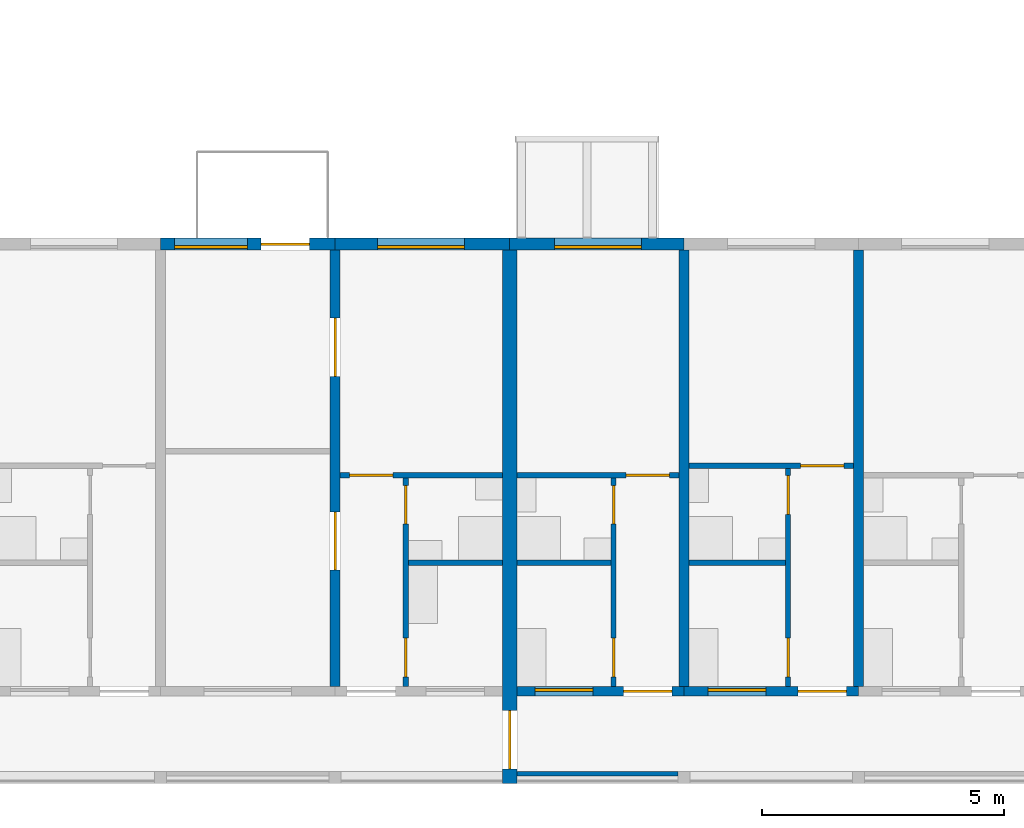
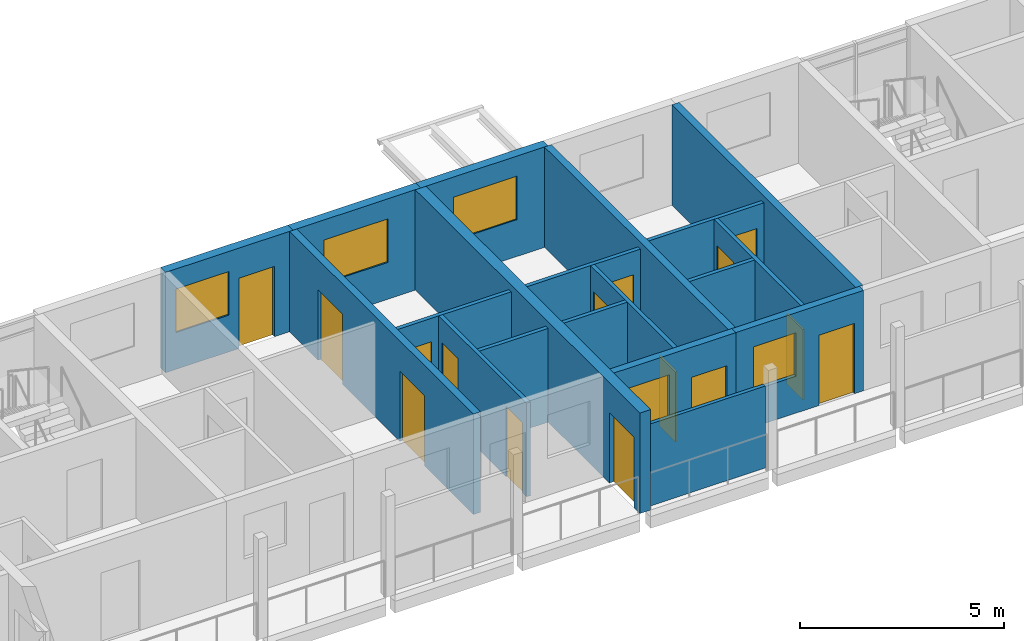
# One storey, part 47 of 94: 19 walls, 15 doors, 5 windows, 20 openings.
"""IFC4 building model written with IfcOpenShell, lengths in metres."""

from ifc_helpers import new_model, si_unit, direction, frame, frame_2d, origin, place, context, subcontext, project, spatial, rectangle, extrude, material, layer, layer_set, type_object, element, fill, save


model = new_model("IFC4")

# Units and contexts
model_context = context("Model", 3, precision=1e-05, world=origin(), true_north=direction((0.0, 1.0)))
body_context = subcontext(model_context, "Body", "Model", "MODEL_VIEW")
ifc_project = project(units=[si_unit("LENGTHUNIT", "METRE"), si_unit("AREAUNIT", "SQUARE_METRE"), si_unit("VOLUMEUNIT", "CUBIC_METRE"), si_unit("PLANEANGLEUNIT", "RADIAN"), si_unit("MASSUNIT", "GRAM", prefix="KILO")], contexts=[model_context])

# Site, building, storey
site_placement = place(None, origin())
site = spatial("IfcSite", under=ifc_project, at=site_placement, CompositionType="ELEMENT")
building_placement = place(site_placement, origin())
building = spatial("IfcBuilding", under=site, at=building_placement, Name="Ridgestep Commons", CompositionType="ELEMENT")
storey_placement = place(building_placement, frame((0.0, 0.0, 24.0)))
storey = spatial("IfcBuildingStorey", under=building, at=storey_placement, Name="L08", CompositionType="ELEMENT", Elevation=24.0)

# Wall, openings, doors
ifc_material_1 = material(Name="Precast concrete C40/50", Category="concrete")
ifc_layer_1 = layer(ifc_material_1, 0.199951171875)
ifc_layer_set_1 = layer_set([ifc_layer_1], Name="Cross wall 200")
wall_type_1 = type_object("IfcWallType", Name="Cross wall 200", PredefinedType="SHEAR", material=ifc_layer_set_1)
wall_1_placement = place(storey_placement, frame((176.800048828125, 13.75, 0.0), z_axis=(0.0, 0.0, 1.0), x_axis=(0.0, 1.0, 0.0)))
wall_1 = element("IfcWall", 1, at=wall_1_placement, inside=storey, type_object=wall_type_1, Name="Cross wall D-08-1768", PredefinedType="SHEAR", context=body_context, shape_type="SweptSolid", body=[
    extrude(rectangle(XDim=9.0, YDim=0.199951171875, at=frame_2d((4.5, 0.0))), origin(), (0.0, 0.0, 1.0), 3.0),
])
opening_1_placement = place(wall_1_placement, frame((2.39990234375, 0.0, 0.0)))
opening_1 = element("IfcOpeningElement", 2, at=opening_1_placement, cuts=wall_1, Name="Opening D2-08a/5", PredefinedType="OPENING", context=body_context, shape_type="SweptSolid", body=[
    extrude(rectangle(XDim=1.199951171875, YDim=2.10009765625, at=frame_2d((0.60009765625, 1.050048828125))), frame((0.0, 0.10986328125, 0.0), z_axis=(0.0, -1.0, 0.0), x_axis=(1.0, 0.0, 0.0)), (0.0, 0.0, 1.0), 0.219970703125),
])
opening_2_placement = place(wall_1_placement, frame((6.39990234375, 0.0, 0.0)))
opening_2 = element("IfcOpeningElement", 3, at=opening_2_placement, cuts=wall_1, Name="Opening D2-08a/6", PredefinedType="OPENING", context=body_context, shape_type="SweptSolid", body=[
    extrude(rectangle(XDim=1.199951171875, YDim=2.10009765625, at=frame_2d((0.60009765625, 1.050048828125))), frame((0.0, 0.10986328125, 0.0), z_axis=(0.0, -1.0, 0.0), x_axis=(1.0, 0.0, 0.0)), (0.0, 0.0, 1.0), 0.219970703125),
])
ifc_material_2 = material(Name="Timber door leaf", Category="wood")
door_type_1 = type_object("IfcDoorType", Name="Double door 1200 x 2100", OperationType="DOUBLE_DOOR_SINGLE_SWING", PredefinedType="DOOR", material=ifc_material_2)
door_1_placement = place(opening_1_placement, origin())
door_1 = element("IfcDoor", 4, at=door_1_placement, inside=storey, type_object=door_type_1, Name="Double door D2-08a/5", OperationType="DOUBLE_DOOR_SINGLE_SWING", OverallHeight=2.10009765625, OverallWidth=1.199951171875, PredefinedType="DOOR", context=body_context, shape_type="SweptSolid", body=[
    extrude(rectangle(XDim=1.199951171875, YDim=2.10009765625, at=frame_2d((0.60009765625, 1.050048828125))), frame((0.0, 0.02490234375, 0.0), z_axis=(0.0, -1.0, 0.0), x_axis=(1.0, 0.0, 0.0)), (0.0, 0.0, 1.0), 0.050048828125),
])
fill(opening_1, door_1)
door_2_placement = place(opening_2_placement, origin())
door_2 = element("IfcDoor", 5, at=door_2_placement, inside=storey, type_object=door_type_1, Name="Double door D2-08a/6", OperationType="DOUBLE_DOOR_SINGLE_SWING", OverallHeight=2.10009765625, OverallWidth=1.199951171875, PredefinedType="DOOR", context=body_context, shape_type="SweptSolid", body=[
    extrude(rectangle(XDim=1.199951171875, YDim=2.10009765625, at=frame_2d((0.60009765625, 1.050048828125))), frame((0.0, 0.02490234375, 0.0), z_axis=(0.0, -1.0, 0.0), x_axis=(1.0, 0.0, 0.0)), (0.0, 0.0, 1.0), 0.050048828125),
])
fill(opening_2, door_2)

# Walls
for number, where, z_axis, x_axis, name in (
    (6, (184.0, 13.75, 0.0), (0.0, 0.0, 1.0), (0.0, 1.0, 0.0), "Cross wall D-08-1840"),
    (7, (187.60009765625, 13.75, 0.0), (0.0, 0.0, 1.0), (0.0, 1.0, 0.0), "Cross wall D-08-1876"),
):
    element("IfcWall", number, at=place(storey_placement, frame(where, z_axis=z_axis, x_axis=x_axis)), inside=storey, type_object=wall_type_1, Name=name, PredefinedType="SHEAR", context=body_context, shape_type="SweptSolid", body=[
        extrude(rectangle(XDim=9.0, YDim=0.199951171875, at=frame_2d((4.5, 0.0))), origin(), (0.0, 0.0, 1.0), 3.0),
    ])

# Wall, opening, door
ifc_material_3 = material(Name="Precast concrete C40/50", Category="concrete")
ifc_layer_2 = layer(ifc_material_3, 0.300048828125)
ifc_layer_set_2 = layer_set([ifc_layer_2], Name="Division wall 300")
wall_type_2 = type_object("IfcWallType", Name="Division wall 300", PredefinedType="SHEAR", material=ifc_layer_set_2)
wall_2_placement = place(storey_placement, frame((180.39990234375, 11.75, 0.0), z_axis=(0.0, 0.0, 1.0), x_axis=(0.0, 1.0, 0.0)))
wall_2 = element("IfcWall", 8, at=wall_2_placement, inside=storey, type_object=wall_type_2, Name="Cross wall D-08-1804", PredefinedType="SHEAR", context=body_context, shape_type="SweptSolid", body=[
    extrude(rectangle(XDim=11.0, YDim=0.300048828125, at=frame_2d((5.5, 0.0))), origin(), (0.0, 0.0, 1.0), 3.0),
])
opening_3_placement = place(wall_2_placement, frame((0.300048828125, 0.0, 0.0)))
opening_3 = element("IfcOpeningElement", 9, at=opening_3_placement, cuts=wall_2, Name="Opening D/08/G1804", PredefinedType="OPENING", context=body_context, shape_type="SweptSolid", body=[
    extrude(rectangle(XDim=1.199951171875, YDim=2.10009765625, at=frame_2d((0.60009765625, 1.050048828125))), frame((0.0, 0.159912109375, 0.0), z_axis=(0.0, -1.0, 0.0), x_axis=(1.0, 0.0, 0.0)), (0.0, 0.0, 1.0), 0.320068359375),
])
ifc_material_4 = material(Name="Steel fire door", Category="steel")
door_type_2 = type_object("IfcDoorType", Name="Division fire door 1200 x 2100 EI 240", OperationType="DOUBLE_DOOR_SINGLE_SWING", PredefinedType="DOOR", material=ifc_material_4)
door_3_placement = place(opening_3_placement, origin())
door_3 = element("IfcDoor", 10, at=door_3_placement, inside=storey, type_object=door_type_2, Name="Division fire door D/08/G1804", OperationType="DOUBLE_DOOR_SINGLE_SWING", OverallHeight=2.10009765625, OverallWidth=1.199951171875, PredefinedType="DOOR", context=body_context, shape_type="SweptSolid", body=[
    extrude(rectangle(XDim=1.199951171875, YDim=2.10009765625, at=frame_2d((0.60009765625, 1.050048828125))), frame((0.0, 0.02490234375, 0.0), z_axis=(0.0, -1.0, 0.0), x_axis=(1.0, 0.0, 0.0)), (0.0, 0.0, 1.0), 0.050048828125),
])
fill(opening_3, door_3)

# Wall, openings, door, window
ifc_material_5 = material(Name="Precast concrete C40/50", Category="concrete")
ifc_layer_3 = layer(ifc_material_5, 0.25)
ifc_layer_set_3 = layer_set([ifc_layer_3], Name="North facade panel 250")
wall_type_3 = type_object("IfcWallType", Name="North facade panel 250", PredefinedType="SOLIDWALL", material=ifc_layer_set_3)
wall_3_placement = place(storey_placement, frame((173.199951171875, 22.875, 0.0), z_axis=(0.0, 0.0, 1.0), x_axis=(1.0, 0.0, 0.0)))
wall_3 = element("IfcWall", 11, at=wall_3_placement, inside=storey, type_object=wall_type_3, Name="North panel D2T2 L08", PredefinedType="SOLIDWALL", context=body_context, shape_type="SweptSolid", body=[
    extrude(rectangle(XDim=3.60009765625, YDim=0.25, at=frame_2d((1.800048828125, 0.0))), origin(), (0.0, 0.0, 1.0), 3.0),
])
opening_4_placement = place(wall_3_placement, frame((0.28857421875, 0.0, 1.10009765625)))
opening_4 = element("IfcOpeningElement", 12, at=opening_4_placement, cuts=wall_3, Name="Opening W14", PredefinedType="OPENING", context=body_context, shape_type="SweptSolid", body=[
    extrude(rectangle(XDim=1.5, YDim=1.300048828125, at=frame_2d((0.75, 0.64990234375))), frame((0.0, 0.135009765625, 0.0), z_axis=(0.0, -1.0, 0.0), x_axis=(1.0, 0.0, 0.0)), (0.0, 0.0, 1.0), 0.27001953125),
])
opening_5_placement = place(wall_3_placement, frame((2.076904296875, 0.0, 0.0)))
opening_5 = element("IfcOpeningElement", 13, at=opening_5_placement, cuts=wall_3, Name="Opening D2-08a/7", PredefinedType="OPENING", context=body_context, shape_type="SweptSolid", body=[
    extrude(rectangle(XDim=1.0, YDim=2.10009765625, at=frame_2d((0.5, 1.050048828125))), frame((0.0, 0.135009765625, 0.0), z_axis=(0.0, -1.0, 0.0), x_axis=(1.0, 0.0, 0.0)), (0.0, 0.0, 1.0), 0.27001953125),
])
ifc_material_6 = material(Name="Aluminium and glass", Category="aluminium")
door_type_3 = type_object("IfcDoorType", Name="Balcony door 1000 x 2100", OperationType="NOTDEFINED", PredefinedType="DOOR", material=ifc_material_6)
door_4_placement = place(opening_5_placement, origin())
door_4 = element("IfcDoor", 14, at=door_4_placement, inside=storey, type_object=door_type_3, Name="Balcony door D2-08a/7", OperationType="SINGLE_SWING_LEFT", OverallHeight=2.10009765625, OverallWidth=1.0, PredefinedType="DOOR", context=body_context, shape_type="SweptSolid", body=[
    extrude(rectangle(XDim=1.0, YDim=2.10009765625, at=frame_2d((0.5, 1.050048828125))), frame((0.0, 0.02490234375, 0.0), z_axis=(0.0, -1.0, 0.0), x_axis=(1.0, 0.0, 0.0)), (0.0, 0.0, 1.0), 0.050048828125),
])
fill(opening_5, door_4)
ifc_material_7 = material(Name="Aluminium 6063-T6 and glass", Category="aluminium")
window_type_1 = type_object("IfcWindowType", Name="Flat window 1500 x 1300", PartitioningType="DOUBLE_PANEL_VERTICAL", PredefinedType="WINDOW", material=ifc_material_7)
window_1_placement = place(opening_4_placement, origin())
window_1 = element("IfcWindow", 15, at=window_1_placement, inside=storey, type_object=window_type_1, Name="Window D2-08a 2", OverallHeight=1.300048828125, OverallWidth=1.5, PartitioningType="SINGLE_PANEL", PredefinedType="WINDOW", context=body_context, shape_type="SweptSolid", body=[
    extrude(rectangle(XDim=1.5, YDim=1.300048828125, at=frame_2d((0.75, 0.64990234375))), frame((0.0, -0.02490234375, 0.0), z_axis=(0.0, -1.0, 0.0), x_axis=(1.0, 0.0, 0.0)), (0.0, 0.0, 1.0), 0.06005859375),
])
fill(opening_4, window_1)

# Wall, opening, window
wall_4_placement = place(storey_placement, frame((176.800048828125, 22.875, 0.0), z_axis=(0.0, 0.0, 1.0), x_axis=(1.0, 0.0, 0.0)))
wall_4 = element("IfcWall", 16, at=wall_4_placement, inside=storey, type_object=wall_type_3, Name="North panel D2T1 L08", PredefinedType="SOLIDWALL", context=body_context, shape_type="SweptSolid", body=[
    extrude(rectangle(XDim=3.599853515625, YDim=0.25, at=frame_2d((1.7998046875, 0.0))), origin(), (0.0, 0.0, 1.0), 3.0),
])
opening_6_placement = place(wall_4_placement, frame((0.875, 0.0, 1.10009765625)))
opening_6 = element("IfcOpeningElement", 17, at=opening_6_placement, cuts=wall_4, Name="Opening W18", PredefinedType="OPENING", context=body_context, shape_type="SweptSolid", body=[
    extrude(rectangle(XDim=1.800048828125, YDim=1.300048828125, at=frame_2d((0.89990234375, 0.64990234375))), frame((0.0, 0.135009765625, 0.0), z_axis=(0.0, -1.0, 0.0), x_axis=(1.0, 0.0, 0.0)), (0.0, 0.0, 1.0), 0.27001953125),
])
ifc_material_8 = material(Name="Aluminium 6063-T6 and glass", Category="aluminium")
window_type_2 = type_object("IfcWindowType", Name="Flat window 1800 x 1300", PartitioningType="DOUBLE_PANEL_VERTICAL", PredefinedType="WINDOW", material=ifc_material_8)
window_2_placement = place(opening_6_placement, origin())
window_2 = element("IfcWindow", 18, at=window_2_placement, inside=storey, type_object=window_type_2, Name="Window D2-08a 4", OverallHeight=1.300048828125, OverallWidth=1.800048828125, PartitioningType="SINGLE_PANEL", PredefinedType="WINDOW", context=body_context, shape_type="SweptSolid", body=[
    extrude(rectangle(XDim=1.800048828125, YDim=1.300048828125, at=frame_2d((0.89990234375, 0.64990234375))), frame((0.0, -0.02490234375, 0.0), z_axis=(0.0, -1.0, 0.0), x_axis=(1.0, 0.0, 0.0)), (0.0, 0.0, 1.0), 0.06005859375),
])
fill(opening_6, window_2)

wall_5_placement = place(storey_placement, frame((180.39990234375, 22.875, 0.0), z_axis=(0.0, 0.0, 1.0), x_axis=(1.0, 0.0, 0.0)))
wall_5 = element("IfcWall", 19, at=wall_5_placement, inside=storey, type_object=wall_type_3, Name="North panel D3T1 L08", PredefinedType="SOLIDWALL", context=body_context, shape_type="SweptSolid", body=[
    extrude(rectangle(XDim=3.60009765625, YDim=0.25, at=frame_2d((1.800048828125, 0.0))), origin(), (0.0, 0.0, 1.0), 3.0),
])
opening_7_placement = place(wall_5_placement, frame((0.925048828125, 0.0, 1.10009765625)))
opening_7 = element("IfcOpeningElement", 20, at=opening_7_placement, cuts=wall_5, Name="Opening W18", PredefinedType="OPENING", context=body_context, shape_type="SweptSolid", body=[
    extrude(rectangle(XDim=1.800048828125, YDim=1.300048828125, at=frame_2d((0.89990234375, 0.64990234375))), frame((0.0, 0.135009765625, 0.0), z_axis=(0.0, -1.0, 0.0), x_axis=(1.0, 0.0, 0.0)), (0.0, 0.0, 1.0), 0.27001953125),
])
window_3_placement = place(opening_7_placement, origin())
window_3 = element("IfcWindow", 21, at=window_3_placement, inside=storey, type_object=window_type_2, Name="Window D3-08a 2", OverallHeight=1.300048828125, OverallWidth=1.800048828125, PartitioningType="SINGLE_PANEL", PredefinedType="WINDOW", context=body_context, shape_type="SweptSolid", body=[
    extrude(rectangle(XDim=1.800048828125, YDim=1.300048828125, at=frame_2d((0.89990234375, 0.64990234375))), frame((0.0, -0.02490234375, 0.0), z_axis=(0.0, -1.0, 0.0), x_axis=(1.0, 0.0, 0.0)), (0.0, 0.0, 1.0), 0.06005859375),
])
fill(opening_7, window_3)

# Wall, openings, doors
ifc_material_9 = material(Name="Common brick 110 mm", Category="masonry")
ifc_layer_4 = layer(ifc_material_9, 0.110107421875)
ifc_layer_set_4 = layer_set([ifc_layer_4], Name="Partition 110")
wall_type_4 = type_object("IfcWallType", Name="Partition 110", PredefinedType="PARTITIONING", material=ifc_layer_set_4)
wall_6_placement = place(storey_placement, frame((178.2548828125, 13.75, 0.0), z_axis=(0.0, 0.0, 1.0), x_axis=(0.0, 1.0, 0.0)))
wall_6 = element("IfcWall", 22, at=wall_6_placement, inside=storey, type_object=wall_type_4, Name="Partition D2-08a", PredefinedType="PARTITIONING", context=body_context, shape_type="SweptSolid", body=[
    extrude(rectangle(XDim=4.300048828125, YDim=0.110107421875, at=frame_2d((2.14990234375, 0.0))), origin(), (0.0, 0.0, 1.0), 2.800048828125),
])
opening_8_placement = place(wall_6_placement, frame((0.199951171875, 0.0, 0.0)))
opening_8 = element("IfcOpeningElement", 23, at=opening_8_placement, cuts=wall_6, Name="Opening D2-08a/2", PredefinedType="OPENING", context=body_context, shape_type="SweptSolid", body=[
    extrude(rectangle(XDim=0.800048828125, YDim=2.10009765625, at=frame_2d((0.39990234375, 1.050048828125))), frame((0.0, 0.06494140625, 0.0), z_axis=(0.0, -1.0, 0.0), x_axis=(1.0, 0.0, 0.0)), (0.0, 0.0, 1.0), 0.130126953125),
])
opening_9_placement = place(wall_6_placement, frame((3.35009765625, 0.0, 0.0)))
opening_9 = element("IfcOpeningElement", 24, at=opening_9_placement, cuts=wall_6, Name="Opening D2-08a/3", PredefinedType="OPENING", context=body_context, shape_type="SweptSolid", body=[
    extrude(rectangle(XDim=0.800048828125, YDim=2.10009765625, at=frame_2d((0.39990234375, 1.050048828125))), frame((0.0, 0.06494140625, 0.0), z_axis=(0.0, -1.0, 0.0), x_axis=(1.0, 0.0, 0.0)), (0.0, 0.0, 1.0), 0.130126953125),
])
ifc_material_10 = material(Name="Timber door leaf", Category="wood")
door_type_4 = type_object("IfcDoorType", Name="Internal door 800 x 2100", OperationType="NOTDEFINED", PredefinedType="DOOR", material=ifc_material_10)
door_5_placement = place(opening_8_placement, origin())
door_5 = element("IfcDoor", 25, at=door_5_placement, inside=storey, type_object=door_type_4, Name="Internal door D2-08a/2", OperationType="SINGLE_SWING_RIGHT", OverallHeight=2.10009765625, OverallWidth=0.800048828125, PredefinedType="DOOR", context=body_context, shape_type="SweptSolid", body=[
    extrude(rectangle(XDim=0.800048828125, YDim=2.10009765625, at=frame_2d((0.39990234375, 1.050048828125))), frame((0.0, 0.02490234375, 0.0), z_axis=(0.0, -1.0, 0.0), x_axis=(1.0, 0.0, 0.0)), (0.0, 0.0, 1.0), 0.050048828125),
])
fill(opening_8, door_5)
door_6_placement = place(opening_9_placement, origin())
door_6 = element("IfcDoor", 26, at=door_6_placement, inside=storey, type_object=door_type_4, Name="Internal door D2-08a/3", OperationType="SINGLE_SWING_LEFT", OverallHeight=2.10009765625, OverallWidth=0.800048828125, PredefinedType="DOOR", context=body_context, shape_type="SweptSolid", body=[
    extrude(rectangle(XDim=0.800048828125, YDim=2.10009765625, at=frame_2d((0.39990234375, 1.050048828125))), frame((0.0, 0.02490234375, 0.0), z_axis=(0.0, -1.0, 0.0), x_axis=(1.0, 0.0, 0.0)), (0.0, 0.0, 1.0), 0.050048828125),
])
fill(opening_9, door_6)

# Wall
wall_7_placement = place(storey_placement, frame((178.31005859375, 16.304931640625, 0.0), z_axis=(0.0, 0.0, 1.0), x_axis=(1.0, 0.0, 0.0)))
element("IfcWall", 27, at=wall_7_placement, inside=storey, type_object=wall_type_4, Name="Partition D2-08a", PredefinedType="PARTITIONING", context=body_context, shape_type="SweptSolid", body=[
    extrude(rectangle(XDim=1.93994140625, YDim=0.110107421875, at=frame_2d((0.969970703125, 0.0))), origin(), (0.0, 0.0, 1.0), 2.800048828125),
])

# Wall, opening, door
wall_8_placement = place(storey_placement, frame((176.89990234375, 18.10498046875, 0.0), z_axis=(0.0, 0.0, 1.0), x_axis=(1.0, 0.0, 0.0)))
wall_8 = element("IfcWall", 28, at=wall_8_placement, inside=storey, type_object=wall_type_4, Name="Partition D2-08a", PredefinedType="PARTITIONING", context=body_context, shape_type="SweptSolid", body=[
    extrude(rectangle(XDim=3.35009765625, YDim=0.110107421875, at=frame_2d((1.675048828125, 0.0))), origin(), (0.0, 0.0, 1.0), 2.800048828125),
])
opening_10_placement = place(wall_8_placement, frame((0.199951171875, 0.0, 0.0)))
opening_10 = element("IfcOpeningElement", 29, at=opening_10_placement, cuts=wall_8, Name="Opening D2-08a/4", PredefinedType="OPENING", context=body_context, shape_type="SweptSolid", body=[
    extrude(rectangle(XDim=0.89990234375, YDim=2.10009765625, at=frame_2d((0.449951171875, 1.050048828125))), frame((0.0, 0.06494140625, 0.0), z_axis=(0.0, -1.0, 0.0), x_axis=(1.0, 0.0, 0.0)), (0.0, 0.0, 1.0), 0.130126953125),
])
ifc_material_11 = material(Name="Timber door leaf", Category="wood")
door_type_5 = type_object("IfcDoorType", Name="Internal door 900 x 2100", OperationType="NOTDEFINED", PredefinedType="DOOR", material=ifc_material_11)
door_7_placement = place(opening_10_placement, origin())
door_7 = element("IfcDoor", 30, at=door_7_placement, inside=storey, type_object=door_type_5, Name="Internal door D2-08a/4", OperationType="SINGLE_SWING_LEFT", OverallHeight=2.10009765625, OverallWidth=0.89990234375, PredefinedType="DOOR", context=body_context, shape_type="SweptSolid", body=[
    extrude(rectangle(XDim=0.89990234375, YDim=2.10009765625, at=frame_2d((0.449951171875, 1.050048828125))), frame((0.0, 0.02490234375, 0.0), z_axis=(0.0, -1.0, 0.0), x_axis=(1.0, 0.0, 0.0)), (0.0, 0.0, 1.0), 0.050048828125),
])
fill(opening_10, door_7)

# Wall
wall_9_placement = place(storey_placement, frame((180.550048828125, 16.304931640625, 0.0), z_axis=(0.0, 0.0, 1.0), x_axis=(1.0, 0.0, 0.0)))
element("IfcWall", 31, at=wall_9_placement, inside=storey, type_object=wall_type_4, Name="Partition D3-08a", PredefinedType="PARTITIONING", context=body_context, shape_type="SweptSolid", body=[
    extrude(rectangle(XDim=1.93994140625, YDim=0.110107421875, at=frame_2d((0.969970703125, 0.0))), origin(), (0.0, 0.0, 1.0), 2.800048828125),
])

# Wall, openings, doors
wall_10_placement = place(storey_placement, frame((182.544921875, 13.75, 0.0), z_axis=(0.0, 0.0, 1.0), x_axis=(0.0, 1.0, 0.0)))
wall_10 = element("IfcWall", 32, at=wall_10_placement, inside=storey, type_object=wall_type_4, Name="Partition D3-08a", PredefinedType="PARTITIONING", context=body_context, shape_type="SweptSolid", body=[
    extrude(rectangle(XDim=4.300048828125, YDim=0.110107421875, at=frame_2d((2.14990234375, 0.0))), origin(), (0.0, 0.0, 1.0), 2.800048828125),
])
opening_11_placement = place(wall_10_placement, frame((0.199951171875, 0.0, 0.0)))
opening_11 = element("IfcOpeningElement", 33, at=opening_11_placement, cuts=wall_10, Name="Opening D3-08a/2", PredefinedType="OPENING", context=body_context, shape_type="SweptSolid", body=[
    extrude(rectangle(XDim=0.800048828125, YDim=2.10009765625, at=frame_2d((0.39990234375, 1.050048828125))), frame((0.0, 0.06494140625, 0.0), z_axis=(0.0, -1.0, 0.0), x_axis=(1.0, 0.0, 0.0)), (0.0, 0.0, 1.0), 0.130126953125),
])
opening_12_placement = place(wall_10_placement, frame((3.35009765625, 0.0, 0.0)))
opening_12 = element("IfcOpeningElement", 34, at=opening_12_placement, cuts=wall_10, Name="Opening D3-08a/3", PredefinedType="OPENING", context=body_context, shape_type="SweptSolid", body=[
    extrude(rectangle(XDim=0.800048828125, YDim=2.10009765625, at=frame_2d((0.39990234375, 1.050048828125))), frame((0.0, 0.06494140625, 0.0), z_axis=(0.0, -1.0, 0.0), x_axis=(1.0, 0.0, 0.0)), (0.0, 0.0, 1.0), 0.130126953125),
])
door_8_placement = place(opening_11_placement, origin())
door_8 = element("IfcDoor", 35, at=door_8_placement, inside=storey, type_object=door_type_4, Name="Internal door D3-08a/2", OperationType="SINGLE_SWING_LEFT", OverallHeight=2.10009765625, OverallWidth=0.800048828125, PredefinedType="DOOR", context=body_context, shape_type="SweptSolid", body=[
    extrude(rectangle(XDim=0.800048828125, YDim=2.10009765625, at=frame_2d((0.39990234375, 1.050048828125))), frame((0.0, 0.02490234375, 0.0), z_axis=(0.0, -1.0, 0.0), x_axis=(1.0, 0.0, 0.0)), (0.0, 0.0, 1.0), 0.050048828125),
])
fill(opening_11, door_8)
door_9_placement = place(opening_12_placement, origin())
door_9 = element("IfcDoor", 36, at=door_9_placement, inside=storey, type_object=door_type_4, Name="Internal door D3-08a/3", OperationType="SINGLE_SWING_RIGHT", OverallHeight=2.10009765625, OverallWidth=0.800048828125, PredefinedType="DOOR", context=body_context, shape_type="SweptSolid", body=[
    extrude(rectangle(XDim=0.800048828125, YDim=2.10009765625, at=frame_2d((0.39990234375, 1.050048828125))), frame((0.0, 0.02490234375, 0.0), z_axis=(0.0, -1.0, 0.0), x_axis=(1.0, 0.0, 0.0)), (0.0, 0.0, 1.0), 0.050048828125),
])
fill(opening_12, door_9)

# Wall, opening, door
wall_11_placement = place(storey_placement, frame((180.550048828125, 18.10498046875, 0.0), z_axis=(0.0, 0.0, 1.0), x_axis=(1.0, 0.0, 0.0)))
wall_11 = element("IfcWall", 37, at=wall_11_placement, inside=storey, type_object=wall_type_4, Name="Partition D3-08a", PredefinedType="PARTITIONING", context=body_context, shape_type="SweptSolid", body=[
    extrude(rectangle(XDim=3.349853515625, YDim=0.110107421875, at=frame_2d((1.6748046875, 0.0))), origin(), (0.0, 0.0, 1.0), 2.800048828125),
])
opening_13_placement = place(wall_11_placement, frame((2.25, 0.0, 0.0)))
opening_13 = element("IfcOpeningElement", 38, at=opening_13_placement, cuts=wall_11, Name="Opening D3-08a/4", PredefinedType="OPENING", context=body_context, shape_type="SweptSolid", body=[
    extrude(rectangle(XDim=0.89990234375, YDim=2.10009765625, at=frame_2d((0.449951171875, 1.050048828125))), frame((0.0, 0.06494140625, 0.0), z_axis=(0.0, -1.0, 0.0), x_axis=(1.0, 0.0, 0.0)), (0.0, 0.0, 1.0), 0.130126953125),
])
door_10_placement = place(opening_13_placement, origin())
door_10 = element("IfcDoor", 39, at=door_10_placement, inside=storey, type_object=door_type_5, Name="Internal door D3-08a/4", OperationType="SINGLE_SWING_LEFT", OverallHeight=2.10009765625, OverallWidth=0.89990234375, PredefinedType="DOOR", context=body_context, shape_type="SweptSolid", body=[
    extrude(rectangle(XDim=0.89990234375, YDim=2.10009765625, at=frame_2d((0.449951171875, 1.050048828125))), frame((0.0, 0.02490234375, 0.0), z_axis=(0.0, -1.0, 0.0), x_axis=(1.0, 0.0, 0.0)), (0.0, 0.0, 1.0), 0.050048828125),
])
fill(opening_13, door_10)

# Wall
wall_12_placement = place(storey_placement, frame((184.10009765625, 16.304931640625, 0.0), z_axis=(0.0, 0.0, 1.0), x_axis=(1.0, 0.0, 0.0)))
element("IfcWall", 40, at=wall_12_placement, inside=storey, type_object=wall_type_4, Name="Partition D3-08b", PredefinedType="PARTITIONING", context=body_context, shape_type="SweptSolid", body=[
    extrude(rectangle(XDim=1.989990234375, YDim=0.110107421875, at=frame_2d((0.9951171875, 0.0))), origin(), (0.0, 0.0, 1.0), 2.800048828125),
])

# Wall, openings, doors
wall_13_placement = place(storey_placement, frame((186.14501953125, 13.75, 0.0), z_axis=(0.0, 0.0, 1.0), x_axis=(0.0, 1.0, 0.0)))
wall_13 = element("IfcWall", 41, at=wall_13_placement, inside=storey, type_object=wall_type_4, Name="Partition D3-08b", PredefinedType="PARTITIONING", context=body_context, shape_type="SweptSolid", body=[
    extrude(rectangle(XDim=4.5, YDim=0.110107421875, at=frame_2d((2.25, 0.0))), origin(), (0.0, 0.0, 1.0), 2.800048828125),
])
opening_14_placement = place(wall_13_placement, frame((0.199951171875, 0.0, 0.0)))
opening_14 = element("IfcOpeningElement", 42, at=opening_14_placement, cuts=wall_13, Name="Opening D3-08b/2", PredefinedType="OPENING", context=body_context, shape_type="SweptSolid", body=[
    extrude(rectangle(XDim=0.800048828125, YDim=2.10009765625, at=frame_2d((0.39990234375, 1.050048828125))), frame((0.0, 0.06494140625, 0.0), z_axis=(0.0, -1.0, 0.0), x_axis=(1.0, 0.0, 0.0)), (0.0, 0.0, 1.0), 0.130126953125),
])
opening_15_placement = place(wall_13_placement, frame((3.550048828125, 0.0, 0.0)))
opening_15 = element("IfcOpeningElement", 43, at=opening_15_placement, cuts=wall_13, Name="Opening D3-08b/3", PredefinedType="OPENING", context=body_context, shape_type="SweptSolid", body=[
    extrude(rectangle(XDim=0.800048828125, YDim=2.10009765625, at=frame_2d((0.39990234375, 1.050048828125))), frame((0.0, 0.06494140625, 0.0), z_axis=(0.0, -1.0, 0.0), x_axis=(1.0, 0.0, 0.0)), (0.0, 0.0, 1.0), 0.130126953125),
])
door_11_placement = place(opening_14_placement, origin())
door_11 = element("IfcDoor", 44, at=door_11_placement, inside=storey, type_object=door_type_4, Name="Internal door D3-08b/2", OperationType="SINGLE_SWING_LEFT", OverallHeight=2.10009765625, OverallWidth=0.800048828125, PredefinedType="DOOR", context=body_context, shape_type="SweptSolid", body=[
    extrude(rectangle(XDim=0.800048828125, YDim=2.10009765625, at=frame_2d((0.39990234375, 1.050048828125))), frame((0.0, 0.02490234375, 0.0), z_axis=(0.0, -1.0, 0.0), x_axis=(1.0, 0.0, 0.0)), (0.0, 0.0, 1.0), 0.050048828125),
])
fill(opening_14, door_11)
door_12_placement = place(opening_15_placement, origin())
door_12 = element("IfcDoor", 45, at=door_12_placement, inside=storey, type_object=door_type_4, Name="Internal door D3-08b/3", OperationType="SINGLE_SWING_RIGHT", OverallHeight=2.10009765625, OverallWidth=0.800048828125, PredefinedType="DOOR", context=body_context, shape_type="SweptSolid", body=[
    extrude(rectangle(XDim=0.800048828125, YDim=2.10009765625, at=frame_2d((0.39990234375, 1.050048828125))), frame((0.0, 0.02490234375, 0.0), z_axis=(0.0, -1.0, 0.0), x_axis=(1.0, 0.0, 0.0)), (0.0, 0.0, 1.0), 0.050048828125),
])
fill(opening_15, door_12)

# Wall, opening, door
wall_14_placement = place(storey_placement, frame((184.10009765625, 18.304931640625, 0.0), z_axis=(0.0, 0.0, 1.0), x_axis=(1.0, 0.0, 0.0)))
wall_14 = element("IfcWall", 46, at=wall_14_placement, inside=storey, type_object=wall_type_4, Name="Partition D3-08b", PredefinedType="PARTITIONING", context=body_context, shape_type="SweptSolid", body=[
    extrude(rectangle(XDim=3.39990234375, YDim=0.110107421875, at=frame_2d((1.699951171875, 0.0))), origin(), (0.0, 0.0, 1.0), 2.800048828125),
])
opening_16_placement = place(wall_14_placement, frame((2.300048828125, 0.0, 0.0)))
opening_16 = element("IfcOpeningElement", 47, at=opening_16_placement, cuts=wall_14, Name="Opening D3-08b/4", PredefinedType="OPENING", context=body_context, shape_type="SweptSolid", body=[
    extrude(rectangle(XDim=0.89990234375, YDim=2.10009765625, at=frame_2d((0.449951171875, 1.050048828125))), frame((0.0, 0.06494140625, 0.0), z_axis=(0.0, -1.0, 0.0), x_axis=(1.0, 0.0, 0.0)), (0.0, 0.0, 1.0), 0.130126953125),
])
door_13_placement = place(opening_16_placement, origin())
door_13 = element("IfcDoor", 48, at=door_13_placement, inside=storey, type_object=door_type_5, Name="Internal door D3-08b/4", OperationType="SINGLE_SWING_LEFT", OverallHeight=2.10009765625, OverallWidth=0.89990234375, PredefinedType="DOOR", context=body_context, shape_type="SweptSolid", body=[
    extrude(rectangle(XDim=0.89990234375, YDim=2.10009765625, at=frame_2d((0.449951171875, 1.050048828125))), frame((0.0, 0.02490234375, 0.0), z_axis=(0.0, -1.0, 0.0), x_axis=(1.0, 0.0, 0.0)), (0.0, 0.0, 1.0), 0.050048828125),
])
fill(opening_16, door_13)

# Wall
ifc_material_12 = material(Name="Precast concrete C30/37", Category="concrete")
ifc_layer_5 = layer(ifc_material_12, 0.10009765625)
ifc_layer_set_5 = layer_set([ifc_layer_5], Name="Perforated gallery screen 3325 x 2450 x 100")
wall_type_5 = type_object("IfcWallType", Name="Perforated gallery screen 3325 x 2450 x 100", PredefinedType="SOLIDWALL", material=ifc_layer_set_5)
wall_15_placement = place(storey_placement, frame((180.550048828125, 11.949951171875, 0.0), z_axis=(0.0, 0.0, 1.0), x_axis=(1.0, 0.0, 0.0)))
element("IfcWall", 49, at=wall_15_placement, inside=storey, type_object=wall_type_5, Name="Gallery screen D3T1 08", PredefinedType="SOLIDWALL", context=body_context, shape_type="SweptSolid", body=[
    extrude(rectangle(XDim=3.324951171875, YDim=0.10009765625, at=frame_2d((1.66259765625, 0.0))), origin(), (0.0, 0.0, 1.0), 2.449951171875),
])

# Wall, openings, door, window
ifc_material_13 = material(Name="Precast concrete C40/50", Category="concrete")
ifc_layer_6 = layer(ifc_material_13, 0.199951171875)
ifc_layer_set_6 = layer_set([ifc_layer_6], Name="South facade panel 200")
wall_type_6 = type_object("IfcWallType", Name="South facade panel 200", PredefinedType="SOLIDWALL", material=ifc_layer_set_6)
wall_16_placement = place(storey_placement, frame((180.550048828125, 13.64990234375, 0.0), z_axis=(0.0, 0.0, 1.0), x_axis=(1.0, 0.0, 0.0)))
wall_16 = element("IfcWall", 50, at=wall_16_placement, inside=storey, type_object=wall_type_6, Name="South panel D3T1 L08", PredefinedType="SOLIDWALL", context=body_context, shape_type="SweptSolid", body=[
    extrude(rectangle(XDim=3.449951171875, YDim=0.199951171875, at=frame_2d((1.72509765625, 0.0))), origin(), (0.0, 0.0, 1.0), 3.0),
])
opening_17_placement = place(wall_16_placement, frame((0.3701171875, 0.0, 1.10009765625)))
opening_17 = element("IfcOpeningElement", 51, at=opening_17_placement, cuts=wall_16, Name="Opening W08", PredefinedType="OPENING", context=body_context, shape_type="SweptSolid", body=[
    extrude(rectangle(XDim=1.199951171875, YDim=1.300048828125, at=frame_2d((0.60009765625, 0.64990234375))), frame((0.0, 0.10986328125, 0.0), z_axis=(0.0, -1.0, 0.0), x_axis=(1.0, 0.0, 0.0)), (0.0, 0.0, 1.0), 0.219970703125),
])
opening_18_placement = place(wall_16_placement, frame((2.199951171875, 0.0, 0.0)))
opening_18 = element("IfcOpeningElement", 52, at=opening_18_placement, cuts=wall_16, Name="Opening D3-08a/1", PredefinedType="OPENING", context=body_context, shape_type="SweptSolid", body=[
    extrude(rectangle(XDim=1.0, YDim=2.10009765625, at=frame_2d((0.5, 1.050048828125))), frame((0.0, 0.10986328125, 0.0), z_axis=(0.0, -1.0, 0.0), x_axis=(1.0, 0.0, 0.0)), (0.0, 0.0, 1.0), 0.219970703125),
])
ifc_material_14 = material(Name="Timber door leaf", Category="wood")
door_type_6 = type_object("IfcDoorType", Name="Flat entrance door 1000 x 2100 FD30S", OperationType="NOTDEFINED", PredefinedType="DOOR", material=ifc_material_14)
door_14_placement = place(opening_18_placement, origin())
door_14 = element("IfcDoor", 53, at=door_14_placement, inside=storey, type_object=door_type_6, Name="Flat entrance door D3-08a/1", OperationType="SINGLE_SWING_RIGHT", OverallHeight=2.10009765625, OverallWidth=1.0, PredefinedType="DOOR", context=body_context, shape_type="SweptSolid", body=[
    extrude(rectangle(XDim=1.0, YDim=2.10009765625, at=frame_2d((0.5, 1.050048828125))), frame((0.0, 0.02490234375, 0.0), z_axis=(0.0, -1.0, 0.0), x_axis=(1.0, 0.0, 0.0)), (0.0, 0.0, 1.0), 0.050048828125),
])
fill(opening_18, door_14)
ifc_material_15 = material(Name="Aluminium 6063-T6 and glass", Category="aluminium")
window_type_3 = type_object("IfcWindowType", Name="Flat window 1200 x 1300", PartitioningType="SINGLE_PANEL", PredefinedType="WINDOW", material=ifc_material_15)
window_4_placement = place(opening_17_placement, origin())
window_4 = element("IfcWindow", 54, at=window_4_placement, inside=storey, type_object=window_type_3, Name="Window D3-08a 1", OverallHeight=1.300048828125, OverallWidth=1.199951171875, PartitioningType="SINGLE_PANEL", PredefinedType="WINDOW", context=body_context, shape_type="SweptSolid", body=[
    extrude(rectangle(XDim=1.199951171875, YDim=1.300048828125, at=frame_2d((0.60009765625, 0.64990234375))), frame((0.0, 0.06005859375, 0.0), z_axis=(0.0, -1.0, 0.0), x_axis=(1.0, 0.0, 0.0)), (0.0, 0.0, 1.0), 0.06005859375),
])
fill(opening_17, window_4)

wall_17_placement = place(storey_placement, frame((184.0, 13.64990234375, 0.0), z_axis=(0.0, 0.0, 1.0), x_axis=(1.0, 0.0, 0.0)))
wall_17 = element("IfcWall", 55, at=wall_17_placement, inside=storey, type_object=wall_type_6, Name="South panel D3T2 L08", PredefinedType="SOLIDWALL", context=body_context, shape_type="SweptSolid", body=[
    extrude(rectangle(XDim=3.60009765625, YDim=0.199951171875, at=frame_2d((1.800048828125, 0.0))), origin(), (0.0, 0.0, 1.0), 3.0),
])
opening_19_placement = place(wall_17_placement, frame((0.4951171875, 0.0, 1.10009765625)))
opening_19 = element("IfcOpeningElement", 56, at=opening_19_placement, cuts=wall_17, Name="Opening W08", PredefinedType="OPENING", context=body_context, shape_type="SweptSolid", body=[
    extrude(rectangle(XDim=1.199951171875, YDim=1.300048828125, at=frame_2d((0.60009765625, 0.64990234375))), frame((0.0, 0.10986328125, 0.0), z_axis=(0.0, -1.0, 0.0), x_axis=(1.0, 0.0, 0.0)), (0.0, 0.0, 1.0), 0.219970703125),
])
opening_20_placement = place(wall_17_placement, frame((2.35009765625, 0.0, 0.0)))
opening_20 = element("IfcOpeningElement", 57, at=opening_20_placement, cuts=wall_17, Name="Opening D3-08b/1", PredefinedType="OPENING", context=body_context, shape_type="SweptSolid", body=[
    extrude(rectangle(XDim=1.0, YDim=2.10009765625, at=frame_2d((0.5, 1.050048828125))), frame((0.0, 0.10986328125, 0.0), z_axis=(0.0, -1.0, 0.0), x_axis=(1.0, 0.0, 0.0)), (0.0, 0.0, 1.0), 0.219970703125),
])
door_15_placement = place(opening_20_placement, origin())
door_15 = element("IfcDoor", 58, at=door_15_placement, inside=storey, type_object=door_type_6, Name="Flat entrance door D3-08b/1", OperationType="SINGLE_SWING_RIGHT", OverallHeight=2.10009765625, OverallWidth=1.0, PredefinedType="DOOR", context=body_context, shape_type="SweptSolid", body=[
    extrude(rectangle(XDim=1.0, YDim=2.10009765625, at=frame_2d((0.5, 1.050048828125))), frame((0.0, 0.02490234375, 0.0), z_axis=(0.0, -1.0, 0.0), x_axis=(1.0, 0.0, 0.0)), (0.0, 0.0, 1.0), 0.050048828125),
])
fill(opening_20, door_15)
window_5_placement = place(opening_19_placement, origin())
window_5 = element("IfcWindow", 59, at=window_5_placement, inside=storey, type_object=window_type_3, Name="Window D3-08b 1", OverallHeight=1.300048828125, OverallWidth=1.199951171875, PartitioningType="SINGLE_PANEL", PredefinedType="WINDOW", context=body_context, shape_type="SweptSolid", body=[
    extrude(rectangle(XDim=1.199951171875, YDim=1.300048828125, at=frame_2d((0.60009765625, 0.64990234375))), frame((0.0, 0.06005859375, 0.0), z_axis=(0.0, -1.0, 0.0), x_axis=(1.0, 0.0, 0.0)), (0.0, 0.0, 1.0), 0.06005859375),
])
fill(opening_19, window_5)

save(model, "model.ifc")
